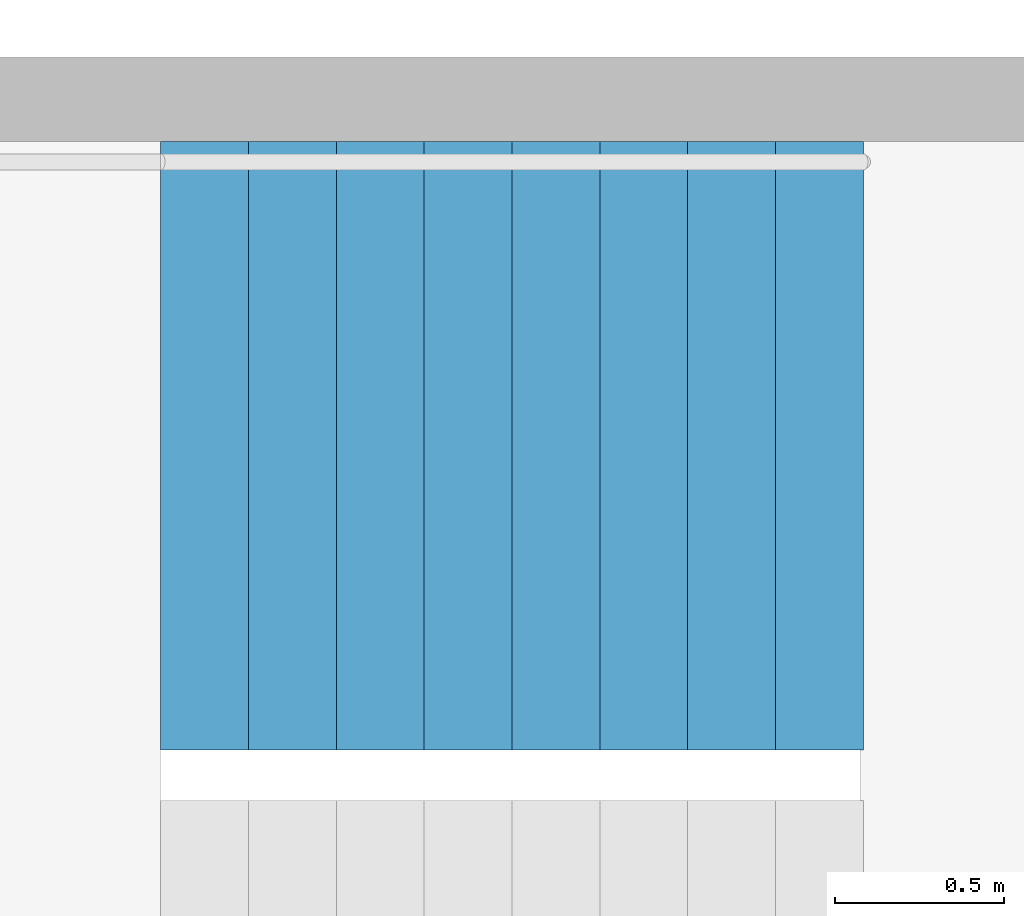
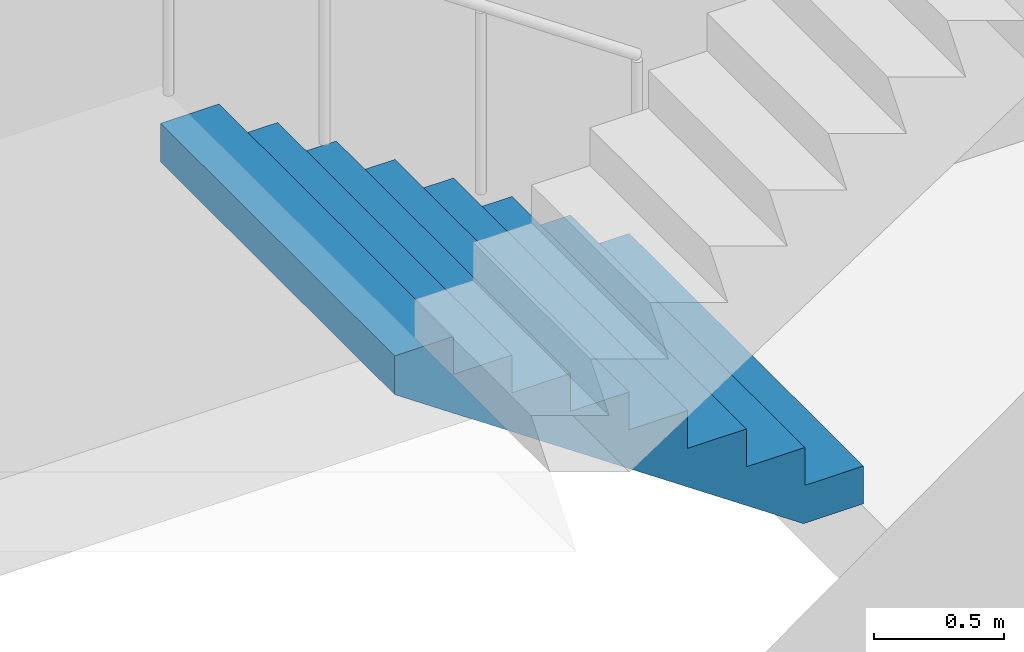
# One storey, part 18 of 29: 1 stair flight, 1 element without a shape of its own.
"""IFC4 building model written with IfcOpenShell, lengths in metres."""

import ifcopenshell
import ifcopenshell.guid

model = None  # the IFC model being written
_history = None  # IfcOwnerHistory: only IFC2X3 demands one
_inside = {}  # id of a spatial element -> (the spatial element, [elements in it])
_under = {}  # id of a project, library or spatial element -> (it, [spatial elements below it])
_declared = {}  # id of a project -> (the project, [libraries it declares])
_typed = {}  # id of a type object -> (the type object, [elements of that type])
_made_of = {}  # id of a material, layer set ... -> (it, [elements and type objects made of it])


def new_model(schema):
    """Start an empty IFC model of exactly this schema.

    Asked for "IFC4X3", IfcOpenShell would pick the latest addendum, in which some entities
    have other attributes; the version numbers below select the first issue.
    IFC2X3 requires an IfcOwnerHistory on every rooted entity: one is made here for all.
    """
    global model, _history
    if schema == "IFC4X3":
        model = ifcopenshell.file(schema_version=(4, 3, 0, 0))
    else:
        model = ifcopenshell.file(schema=schema)
    _inside.clear()
    _under.clear()
    _declared.clear()
    _typed.clear()
    _made_of.clear()
    _history = None
    if model.schema == "IFC2X3":
        org = make("IfcOrganization", Name="unknown")
        user = make(
            "IfcPersonAndOrganization",
            ThePerson=make("IfcPerson", FamilyName="unknown"),
            TheOrganization=org,
        )
        app = make(
            "IfcApplication",
            ApplicationDeveloper=org,
            Version="unknown",
            ApplicationFullName="unknown",
            ApplicationIdentifier="unknown",
        )
        _history = make(
            "IfcOwnerHistory",
            OwningUser=user,
            OwningApplication=app,
            ChangeAction="ADDED",
            CreationDate=0,
        )
    return model


def make(cls, **values):
    """One entity of the class cls with the attributes given. An attribute that is None is left unset."""
    return model.create_entity(
        cls, **{name: value for name, value in values.items() if value is not None}
    )


def rooted(cls, **values):
    """An entity with a GlobalId (a new one), such as an element, a storey or a relation."""
    return make(cls, GlobalId=ifcopenshell.guid.new(), OwnerHistory=_history, **values)


def si_unit(unit_type, name, prefix=None):
    """IfcSIUnit, for example si_unit("LENGTHUNIT", "METRE", prefix="MILLI")."""
    return make("IfcSIUnit", UnitType=unit_type, Prefix=prefix, Name=name)


def assignment(units):
    """IfcUnitAssignment: the units of a project."""
    return None if units is None else make("IfcUnitAssignment", Units=units)


def point(xyz):
    """IfcCartesianPoint."""
    return None if xyz is None else make("IfcCartesianPoint", Coordinates=xyz)


def direction(xyz):
    """IfcDirection."""
    return None if xyz is None else make("IfcDirection", DirectionRatios=xyz)


def frame(location, z_axis=None, x_axis=None):
    """IfcAxis2Placement3D, a coordinate frame: its origin and axes. An axis left out is left unset."""
    return make(
        "IfcAxis2Placement3D",
        Location=point(location),
        Axis=direction(z_axis),
        RefDirection=direction(x_axis),
    )


def origin():
    """The frame at (0, 0, 0) with its axes left unset."""
    return frame((0.0, 0.0, 0.0))


def place(relative_to, where):
    """IfcLocalPlacement: puts the frame where relative to a parent placement (None: the world)."""
    return make(
        "IfcLocalPlacement", PlacementRelTo=relative_to, RelativePlacement=where
    )


def context(
    kind, dimensions, precision=None, world=None, true_north=None, identifier=None
):
    """IfcGeometricRepresentationContext, for example the 3D "Model" context."""
    return make(
        "IfcGeometricRepresentationContext",
        ContextIdentifier=identifier,
        ContextType=kind,
        CoordinateSpaceDimension=dimensions,
        Precision=precision,
        WorldCoordinateSystem=world,
        TrueNorth=true_north,
    )


def subcontext(parent, identifier, kind, view, scale=None):
    """IfcGeometricRepresentationSubContext, for example "Body" below "Model"."""
    return make(
        "IfcGeometricRepresentationSubContext",
        ContextIdentifier=identifier,
        ContextType=kind,
        ParentContext=parent,
        TargetScale=scale,
        TargetView=view,
    )


def project(units=None, contexts=None):
    """IfcProject with its units and contexts."""
    return rooted(
        "IfcProject",
        Name="project",
        RepresentationContexts=contexts,
        UnitsInContext=assignment(units),
    )


def spatial(cls, under=None, at=None, **own):
    """A site, building, storey or space (cls), placed at a placement, below another one or the project."""
    s = rooted(cls, ObjectPlacement=at, **own)
    if under is not None:
        _under.setdefault(under.id(), (under, []))[1].append(s)
    return s


def point_list(points):
    """IfcCartesianPointList2D or 3D."""
    cls = (
        "IfcCartesianPointList2D" if len(points[0]) == 2 else "IfcCartesianPointList3D"
    )
    return make(cls, CoordList=points)


def triangles(points, corners, closed=None, point_numbers=None):
    """IfcTriangulatedFaceSet: each triangle names its three corners, points numbered from 1."""
    return make(
        "IfcTriangulatedFaceSet",
        Coordinates=point_list(points),
        Closed=closed,
        CoordIndex=corners,
        PnIndex=point_numbers,
    )


def shape(context_of_items, identifier, shape_type, items):
    """IfcShapeRepresentation: the items that make up one representation, for example the "Body"."""
    return make(
        "IfcShapeRepresentation",
        ContextOfItems=context_of_items,
        RepresentationIdentifier=identifier,
        RepresentationType=shape_type,
        Items=items,
    )


def material(Name=None, Category=None):
    """IfcMaterial."""
    return make("IfcMaterial", Name=Name, Category=Category)


def made_of(thing, what):
    """Note that an element or type object is made of a material, layer set ...; save() writes the relation."""
    if what is not None:
        _made_of.setdefault(what.id(), (what, []))[1].append(thing)
    return thing


def type_object(cls, material=None, **own):
    """A type object (cls), such as IfcWallType, which elements share."""
    return made_of(rooted(cls, **own), material)


def element(
    cls,
    number,
    at=None,
    inside=None,
    cuts=None,
    type_object=None,
    material=None,
    context=None,
    identifier="Body",
    shape_type=None,
    held_by="IfcProductDefinitionShape",
    body=None,
    shapes=None,
    **own,
):
    """One element of the class cls, such as IfcWall. Its Tag is "e" and its number.

    at: its placement. inside: the storey or other place that contains it. cuts: it is an
    opening in that element (IfcRelVoidsElement). A single representation is given by context,
    identifier, shape_type and body (its items); several are given by shapes. held_by: the class
    of the entity that holds the representations. save() writes the other relations.
    """
    e = rooted(cls, Tag="e%d" % number, ObjectPlacement=at, **own)
    if body is not None:
        shapes = [shape(context, identifier, shape_type, body)]
    if shapes is not None:
        e.Representation = make(held_by, Representations=shapes)
    if inside is not None:
        _inside.setdefault(inside.id(), (inside, []))[1].append(e)
    if cuts is not None:
        rooted(
            "IfcRelVoidsElement", RelatingBuildingElement=cuts, RelatedOpeningElement=e
        )
    if type_object is not None:
        _typed.setdefault(type_object.id(), (type_object, []))[1].append(e)
    return made_of(e, material)


def aggregate(whole, parts):
    """IfcRelAggregates: a whole, such as a stair, and the parts it consists of."""
    return rooted("IfcRelAggregates", RelatingObject=whole, RelatedObjects=parts)


def save(model, path):
    """Write the relations noted so far, then the file.

    IfcRelAggregates (storeys below a building ...), IfcRelContainedInSpatialStructure (elements
    in a storey), IfcRelDefinesByType, IfcRelAssociatesMaterial and IfcRelDeclares: one each for
    every whole, place, type object, material and project.
    """
    for whole, parts in _under.values():
        aggregate(whole, parts)
    for where, things in _inside.values():
        rooted(
            "IfcRelContainedInSpatialStructure",
            RelatedElements=things,
            RelatingStructure=where,
        )
    for kind, things in _typed.values():
        rooted("IfcRelDefinesByType", RelatedObjects=things, RelatingType=kind)
    for what, things in _made_of.values():
        rooted("IfcRelAssociatesMaterial", RelatedObjects=things, RelatingMaterial=what)
    for by, libraries in _declared.values():
        rooted("IfcRelDeclares", RelatingContext=by, RelatedDefinitions=libraries)
    model.write(path)


model = new_model("IFC4")

# Units and contexts
model_context = context("Model", 3, precision=1e-05, world=origin(), true_north=direction((0.0, 1.0)))
body_context = subcontext(model_context, "Body", "Model", "MODEL_VIEW")
ifc_project = project(units=[si_unit("LENGTHUNIT", "METRE"), si_unit("AREAUNIT", "SQUARE_METRE"), si_unit("VOLUMEUNIT", "CUBIC_METRE"), si_unit("PLANEANGLEUNIT", "RADIAN"), si_unit("MASSUNIT", "GRAM", prefix="KILO")], contexts=[model_context])

# Site, building, storey
site_placement = place(None, origin())
site = spatial("IfcSite", under=ifc_project, at=site_placement, CompositionType="ELEMENT")
building_placement = place(site_placement, origin())
building = spatial("IfcBuilding", under=site, at=building_placement, Name="Hakoniwa Tower and Hamabe Station Hall", CompositionType="ELEMENT")
storey_placement = place(building_placement, frame((0.0, 0.0, 205.800048828125)))
storey = spatial("IfcBuildingStorey", under=building, at=storey_placement, Name="L58", CompositionType="ELEMENT", Elevation=205.800048828125)

# Stair, stair flight
ifc_material_1 = material(Name="Concrete C40", Category="concrete")
stair_type = type_object("IfcStairType", Name="ESCAPE STAIR 1800", PredefinedType="HALF_TURN_STAIR", material=ifc_material_1)
stair_placement = place(storey_placement, origin())
stair = element("IfcStair", 1, at=stair_placement, inside=storey, type_object=stair_type, Name="Escape stair ST-2 L58", PredefinedType="HALF_TURN_STAIR")
ifc_material_2 = material(Name="Concrete C40", Category="concrete")
stair_flight_type = type_object("IfcStairFlightType", Name="STAIR FLIGHT 1800", PredefinedType="STRAIGHT", material=ifc_material_2)
stair_flight_placement = place(storey_placement, frame((-23.39990234375, -4.64990234375, 0.0), z_axis=(0.0, 0.0, 1.0), x_axis=(-1.0, 0.0, 0.0)))
stair_flight = element("IfcStairFlight", 2, at=stair_flight_placement, type_object=stair_flight_type, Name="ST-2 flight 1", NumberOfRisers=9, NumberOfTreads=8, PredefinedType="STRAIGHT", RiserHeight=0.177777778, TreadLength=0.26, context=body_context, shape_type="Tessellation", body=[
    triangles([(0.0, 0.89990234375, 0.0), (0.260009765625, 0.89990234375, 0.0), (0.265625, 0.89990234375, 0.0), (0.52001953125, 0.89990234375, 0.174072265625), (0.780029296875, 0.89990234375, 0.351806640625), (1.0400390625, 0.89990234375, 0.529541015625), (1.300048828125, 0.89990234375, 0.707275390625), (1.56005859375, 0.89990234375, 0.885009765625), (1.820068359375, 0.89990234375, 1.062744140625), (2.080078125, 0.89990234375, 1.24072265625), (2.080078125, 0.89990234375, 1.422119140625), (1.820068359375, 0.89990234375, 1.422119140625), (1.820068359375, 0.89990234375, 1.244384765625), (1.56005859375, 0.89990234375, 1.244384765625), (1.56005859375, 0.89990234375, 1.066650390625), (1.300048828125, 0.89990234375, 1.066650390625), (1.300048828125, 0.89990234375, 0.888916015625), (1.0400390625, 0.89990234375, 0.888916015625), (1.0400390625, 0.89990234375, 0.711181640625), (0.780029296875, 0.89990234375, 0.711181640625), (0.780029296875, 0.89990234375, 0.533447265625), (0.52001953125, 0.89990234375, 0.533447265625), (0.52001953125, 0.89990234375, 0.35546875), (0.265625, 0.89990234375, 0.35546875), (0.260009765625, 0.89990234375, 0.35546875), (0.260009765625, 0.89990234375, 0.177734375), (0.0, 0.89990234375, 0.177734375), (0.0, 0.06005859375, 0.0), (0.260009765625, 0.06005859375, 0.0), (0.265625, 0.06005859375, 0.0), (0.52001953125, 0.06005859375, 0.174072265625), (0.780029296875, 0.06005859375, 0.351806640625), (1.0400390625, 0.06005859375, 0.529541015625), (1.300048828125, 0.06005859375, 0.707275390625), (1.56005859375, 0.06005859375, 0.885009765625), (1.820068359375, 0.06005859375, 1.062744140625), (2.080078125, 0.06005859375, 1.24072265625), (2.080078125, 0.06005859375, 1.422119140625), (1.820068359375, 0.06005859375, 1.422119140625), (1.820068359375, 0.06005859375, 1.244384765625), (1.56005859375, 0.06005859375, 1.244384765625), (1.56005859375, 0.06005859375, 1.066650390625), (1.300048828125, 0.06005859375, 1.066650390625), (1.300048828125, 0.06005859375, 0.888916015625), (1.0400390625, 0.06005859375, 0.888916015625), (1.0400390625, 0.06005859375, 0.711181640625), (0.780029296875, 0.06005859375, 0.711181640625), (0.780029296875, 0.06005859375, 0.533447265625), (0.52001953125, 0.06005859375, 0.533447265625), (0.52001953125, 0.06005859375, 0.35546875), (0.265625, 0.06005859375, 0.35546875), (0.260009765625, 0.06005859375, 0.35546875), (0.260009765625, 0.06005859375, 0.177734375), (0.0, 0.06005859375, 0.177734375), (0.0, 0.04296875, 0.0), (0.260009765625, 0.04296875, 0.0), (0.265625, 0.04296875, 0.0), (0.52001953125, 0.04296875, 0.174072265625), (0.780029296875, 0.04296875, 0.351806640625), (1.0400390625, 0.04296875, 0.529541015625), (1.300048828125, 0.04296875, 0.707275390625), (1.56005859375, 0.04296875, 0.885009765625), (1.820068359375, 0.04296875, 1.062744140625), (2.080078125, 0.04296875, 1.24072265625), (2.080078125, 0.04296875, 1.422119140625), (1.820068359375, 0.04296875, 1.422119140625), (1.820068359375, 0.04296875, 1.244384765625), (1.56005859375, 0.04296875, 1.244384765625), (1.56005859375, 0.04296875, 1.066650390625), (1.300048828125, 0.04296875, 1.066650390625), (1.300048828125, 0.04296875, 0.888916015625), (1.0400390625, 0.04296875, 0.888916015625), (1.0400390625, 0.04296875, 0.711181640625), (0.780029296875, 0.04296875, 0.711181640625), (0.780029296875, 0.04296875, 0.533447265625), (0.52001953125, 0.04296875, 0.533447265625), (0.52001953125, 0.04296875, 0.35546875), (0.265625, 0.04296875, 0.35546875), (0.260009765625, 0.04296875, 0.35546875), (0.260009765625, 0.04296875, 0.177734375), (0.0, 0.04296875, 0.177734375), (0.0, 0.025634765625, 0.0), (0.260009765625, 0.025634765625, 0.0), (0.265625, 0.025634765625, 0.0), (0.52001953125, 0.025634765625, 0.174072265625), (0.780029296875, 0.025634765625, 0.351806640625), (1.0400390625, 0.025634765625, 0.529541015625), (1.300048828125, 0.025634765625, 0.707275390625), (1.56005859375, 0.025634765625, 0.885009765625), (1.820068359375, 0.025634765625, 1.062744140625), (2.080078125, 0.025634765625, 1.24072265625), (2.080078125, 0.025634765625, 1.422119140625), (1.820068359375, 0.025634765625, 1.422119140625), (1.820068359375, 0.025634765625, 1.244384765625), (1.56005859375, 0.025634765625, 1.244384765625), (1.56005859375, 0.025634765625, 1.066650390625), (1.300048828125, 0.025634765625, 1.066650390625), (1.300048828125, 0.025634765625, 0.888916015625), (1.0400390625, 0.025634765625, 0.888916015625), (1.0400390625, 0.025634765625, 0.711181640625), (0.780029296875, 0.025634765625, 0.711181640625), (0.780029296875, 0.025634765625, 0.533447265625), (0.52001953125, 0.025634765625, 0.533447265625), (0.52001953125, 0.025634765625, 0.35546875), (0.265625, 0.025634765625, 0.35546875), (0.260009765625, 0.025634765625, 0.35546875), (0.260009765625, 0.025634765625, 0.177734375), (0.0, 0.025634765625, 0.177734375), (0.0, 0.008544921875, 0.0), (0.260009765625, 0.008544921875, 0.0), (0.265625, 0.008544921875, 0.0), (0.52001953125, 0.008544921875, 0.174072265625), (0.780029296875, 0.008544921875, 0.351806640625), (1.0400390625, 0.008544921875, 0.529541015625), (1.300048828125, 0.008544921875, 0.707275390625), (1.56005859375, 0.008544921875, 0.885009765625), (1.820068359375, 0.008544921875, 1.062744140625), (2.080078125, 0.008544921875, 1.24072265625), (2.080078125, 0.008544921875, 1.422119140625), (1.820068359375, 0.008544921875, 1.422119140625), (1.820068359375, 0.008544921875, 1.244384765625), (1.56005859375, 0.008544921875, 1.244384765625), (1.56005859375, 0.008544921875, 1.066650390625), (1.300048828125, 0.008544921875, 1.066650390625), (1.300048828125, 0.008544921875, 0.888916015625), (1.0400390625, 0.008544921875, 0.888916015625), (1.0400390625, 0.008544921875, 0.711181640625), (0.780029296875, 0.008544921875, 0.711181640625), (0.780029296875, 0.008544921875, 0.533447265625), (0.52001953125, 0.008544921875, 0.533447265625), (0.52001953125, 0.008544921875, 0.35546875), (0.265625, 0.008544921875, 0.35546875), (0.260009765625, 0.008544921875, 0.35546875), (0.260009765625, 0.008544921875, 0.177734375), (0.0, 0.008544921875, 0.177734375), (0.0, -0.008544921875, 0.0), (0.260009765625, -0.008544921875, 0.0), (0.265625, -0.008544921875, 0.0), (0.52001953125, -0.008544921875, 0.174072265625), (0.780029296875, -0.008544921875, 0.351806640625), (1.0400390625, -0.008544921875, 0.529541015625), (1.300048828125, -0.008544921875, 0.707275390625), (1.56005859375, -0.008544921875, 0.885009765625), (1.820068359375, -0.008544921875, 1.062744140625), (2.080078125, -0.008544921875, 1.24072265625), (2.080078125, -0.008544921875, 1.422119140625), (1.820068359375, -0.008544921875, 1.422119140625), (1.820068359375, -0.008544921875, 1.244384765625), (1.56005859375, -0.008544921875, 1.244384765625), (1.56005859375, -0.008544921875, 1.066650390625), (1.300048828125, -0.008544921875, 1.066650390625), (1.300048828125, -0.008544921875, 0.888916015625), (1.0400390625, -0.008544921875, 0.888916015625), (1.0400390625, -0.008544921875, 0.711181640625), (0.780029296875, -0.008544921875, 0.711181640625), (0.780029296875, -0.008544921875, 0.533447265625), (0.52001953125, -0.008544921875, 0.533447265625), (0.52001953125, -0.008544921875, 0.35546875), (0.265625, -0.008544921875, 0.35546875), (0.260009765625, -0.008544921875, 0.35546875), (0.260009765625, -0.008544921875, 0.177734375), (0.0, -0.008544921875, 0.177734375), (0.0, -0.025634765625, 0.0), (0.260009765625, -0.025634765625, 0.0), (0.265625, -0.025634765625, 0.0), (0.52001953125, -0.025634765625, 0.174072265625), (0.780029296875, -0.025634765625, 0.351806640625), (1.0400390625, -0.025634765625, 0.529541015625), (1.300048828125, -0.025634765625, 0.707275390625), (1.56005859375, -0.025634765625, 0.885009765625), (1.820068359375, -0.025634765625, 1.062744140625), (2.080078125, -0.025634765625, 1.24072265625), (2.080078125, -0.025634765625, 1.422119140625), (1.820068359375, -0.025634765625, 1.422119140625), (1.820068359375, -0.025634765625, 1.244384765625), (1.56005859375, -0.025634765625, 1.244384765625), (1.56005859375, -0.025634765625, 1.066650390625), (1.300048828125, -0.025634765625, 1.066650390625), (1.300048828125, -0.025634765625, 0.888916015625), (1.0400390625, -0.025634765625, 0.888916015625), (1.0400390625, -0.025634765625, 0.711181640625), (0.780029296875, -0.025634765625, 0.711181640625), (0.780029296875, -0.025634765625, 0.533447265625), (0.52001953125, -0.025634765625, 0.533447265625), (0.52001953125, -0.025634765625, 0.35546875), (0.265625, -0.025634765625, 0.35546875), (0.260009765625, -0.025634765625, 0.35546875), (0.260009765625, -0.025634765625, 0.177734375), (0.0, -0.025634765625, 0.177734375), (0.0, -0.04296875, 0.0), (0.260009765625, -0.04296875, 0.0), (0.265625, -0.04296875, 0.0), (0.52001953125, -0.04296875, 0.174072265625), (0.780029296875, -0.04296875, 0.351806640625), (1.0400390625, -0.04296875, 0.529541015625), (1.300048828125, -0.04296875, 0.707275390625), (1.56005859375, -0.04296875, 0.885009765625), (1.820068359375, -0.04296875, 1.062744140625), (2.080078125, -0.04296875, 1.24072265625), (2.080078125, -0.04296875, 1.422119140625), (1.820068359375, -0.04296875, 1.422119140625), (1.820068359375, -0.04296875, 1.244384765625), (1.56005859375, -0.04296875, 1.244384765625), (1.56005859375, -0.04296875, 1.066650390625), (1.300048828125, -0.04296875, 1.066650390625), (1.300048828125, -0.04296875, 0.888916015625), (1.0400390625, -0.04296875, 0.888916015625), (1.0400390625, -0.04296875, 0.711181640625), (0.780029296875, -0.04296875, 0.711181640625), (0.780029296875, -0.04296875, 0.533447265625), (0.52001953125, -0.04296875, 0.533447265625), (0.52001953125, -0.04296875, 0.35546875), (0.265625, -0.04296875, 0.35546875), (0.260009765625, -0.04296875, 0.35546875), (0.260009765625, -0.04296875, 0.177734375), (0.0, -0.04296875, 0.177734375), (0.0, -0.06005859375, 0.0), (0.260009765625, -0.06005859375, 0.0), (0.265625, -0.06005859375, 0.0), (0.52001953125, -0.06005859375, 0.174072265625), (0.780029296875, -0.06005859375, 0.351806640625), (1.0400390625, -0.06005859375, 0.529541015625), (1.300048828125, -0.06005859375, 0.707275390625), (1.56005859375, -0.06005859375, 0.885009765625), (1.820068359375, -0.06005859375, 1.062744140625), (2.080078125, -0.06005859375, 1.24072265625), (2.080078125, -0.06005859375, 1.422119140625), (1.820068359375, -0.06005859375, 1.422119140625), (1.820068359375, -0.06005859375, 1.244384765625), (1.56005859375, -0.06005859375, 1.244384765625), (1.56005859375, -0.06005859375, 1.066650390625), (1.300048828125, -0.06005859375, 1.066650390625), (1.300048828125, -0.06005859375, 0.888916015625), (1.0400390625, -0.06005859375, 0.888916015625), (1.0400390625, -0.06005859375, 0.711181640625), (0.780029296875, -0.06005859375, 0.711181640625), (0.780029296875, -0.06005859375, 0.533447265625), (0.52001953125, -0.06005859375, 0.533447265625), (0.52001953125, -0.06005859375, 0.35546875), (0.265625, -0.06005859375, 0.35546875), (0.260009765625, -0.06005859375, 0.35546875), (0.260009765625, -0.06005859375, 0.177734375), (0.0, -0.06005859375, 0.177734375), (0.0, -0.89990234375, 0.0), (0.260009765625, -0.89990234375, 0.0), (0.265625, -0.89990234375, 0.0), (0.52001953125, -0.89990234375, 0.174072265625), (0.780029296875, -0.89990234375, 0.351806640625), (1.0400390625, -0.89990234375, 0.529541015625), (1.300048828125, -0.89990234375, 0.707275390625), (1.56005859375, -0.89990234375, 0.885009765625), (1.820068359375, -0.89990234375, 1.062744140625), (2.080078125, -0.89990234375, 1.24072265625), (2.080078125, -0.89990234375, 1.422119140625), (1.820068359375, -0.89990234375, 1.422119140625), (1.820068359375, -0.89990234375, 1.244384765625), (1.56005859375, -0.89990234375, 1.244384765625), (1.56005859375, -0.89990234375, 1.066650390625), (1.300048828125, -0.89990234375, 1.066650390625), (1.300048828125, -0.89990234375, 0.888916015625), (1.0400390625, -0.89990234375, 0.888916015625), (1.0400390625, -0.89990234375, 0.711181640625), (0.780029296875, -0.89990234375, 0.711181640625), (0.780029296875, -0.89990234375, 0.533447265625), (0.52001953125, -0.89990234375, 0.533447265625), (0.52001953125, -0.89990234375, 0.35546875), (0.265625, -0.89990234375, 0.35546875), (0.260009765625, -0.89990234375, 0.35546875), (0.260009765625, -0.89990234375, 0.177734375), (0.0, -0.89990234375, 0.177734375)], [[2, 27, 26], [245, 269, 270], [2, 1, 27], [245, 270, 244], [3, 25, 24], [246, 267, 268], [3, 26, 25], [246, 268, 269], [3, 2, 26], [246, 269, 245], [4, 24, 23], [247, 266, 267], [4, 3, 24], [247, 267, 246], [5, 22, 21], [248, 264, 265], [5, 23, 22], [248, 265, 266], [5, 4, 23], [248, 266, 247], [6, 20, 19], [249, 262, 263], [6, 21, 20], [249, 263, 264], [6, 5, 21], [249, 264, 248], [7, 18, 17], [250, 260, 261], [7, 19, 18], [250, 261, 262], [7, 6, 19], [250, 262, 249], [8, 16, 15], [251, 258, 259], [8, 17, 16], [251, 259, 260], [8, 7, 17], [251, 260, 250], [9, 14, 13], [252, 256, 257], [9, 15, 14], [252, 257, 258], [9, 8, 15], [252, 258, 251], [10, 12, 11], [253, 254, 255], [10, 13, 12], [253, 255, 256], [10, 9, 13], [253, 256, 252], [1, 2, 29], [1, 29, 28], [28, 29, 56], [28, 56, 55], [55, 56, 83], [55, 83, 82], [82, 83, 110], [82, 110, 109], [109, 110, 137], [109, 137, 136], [136, 137, 164], [136, 164, 163], [163, 164, 191], [163, 191, 190], [190, 191, 218], [190, 218, 217], [217, 218, 245], [217, 245, 244], [2, 3, 30], [2, 30, 29], [29, 30, 57], [29, 57, 56], [56, 57, 84], [56, 84, 83], [83, 84, 111], [83, 111, 110], [110, 111, 138], [110, 138, 137], [137, 138, 165], [137, 165, 164], [164, 165, 192], [164, 192, 191], [191, 192, 219], [191, 219, 218], [218, 219, 246], [218, 246, 245], [3, 4, 31], [3, 31, 30], [30, 31, 58], [30, 58, 57], [57, 58, 85], [57, 85, 84], [84, 85, 112], [84, 112, 111], [111, 112, 139], [111, 139, 138], [138, 139, 166], [138, 166, 165], [165, 166, 193], [165, 193, 192], [192, 193, 220], [192, 220, 219], [219, 220, 247], [219, 247, 246], [4, 5, 32], [4, 32, 31], [31, 32, 59], [31, 59, 58], [58, 59, 86], [58, 86, 85], [85, 86, 113], [85, 113, 112], [112, 113, 140], [112, 140, 139], [139, 140, 167], [139, 167, 166], [166, 167, 194], [166, 194, 193], [193, 194, 221], [193, 221, 220], [220, 221, 248], [220, 248, 247], [5, 6, 33], [5, 33, 32], [32, 33, 60], [32, 60, 59], [59, 60, 87], [59, 87, 86], [86, 87, 114], [86, 114, 113], [113, 114, 141], [113, 141, 140], [140, 141, 168], [140, 168, 167], [167, 168, 195], [167, 195, 194], [194, 195, 222], [194, 222, 221], [221, 222, 249], [221, 249, 248], [6, 7, 34], [6, 34, 33], [33, 34, 61], [33, 61, 60], [60, 61, 88], [60, 88, 87], [87, 88, 115], [87, 115, 114], [114, 115, 142], [114, 142, 141], [141, 142, 169], [141, 169, 168], [168, 169, 196], [168, 196, 195], [195, 196, 223], [195, 223, 222], [222, 223, 250], [222, 250, 249], [7, 8, 35], [7, 35, 34], [34, 35, 62], [34, 62, 61], [61, 62, 89], [61, 89, 88], [88, 89, 116], [88, 116, 115], [115, 116, 143], [115, 143, 142], [142, 143, 170], [142, 170, 169], [169, 170, 197], [169, 197, 196], [196, 197, 224], [196, 224, 223], [223, 224, 251], [223, 251, 250], [8, 9, 36], [8, 36, 35], [35, 36, 63], [35, 63, 62], [62, 63, 90], [62, 90, 89], [89, 90, 117], [89, 117, 116], [116, 117, 144], [116, 144, 143], [143, 144, 171], [143, 171, 170], [170, 171, 198], [170, 198, 197], [197, 198, 225], [197, 225, 224], [224, 225, 252], [224, 252, 251], [9, 10, 37], [9, 37, 36], [36, 37, 64], [36, 64, 63], [63, 64, 91], [63, 91, 90], [90, 91, 118], [90, 118, 117], [117, 118, 145], [117, 145, 144], [144, 145, 172], [144, 172, 171], [171, 172, 199], [171, 199, 198], [198, 199, 226], [198, 226, 225], [225, 226, 253], [225, 253, 252], [10, 11, 38], [10, 38, 37], [37, 38, 65], [37, 65, 64], [64, 65, 92], [64, 92, 91], [91, 92, 119], [91, 119, 118], [118, 119, 146], [118, 146, 145], [145, 146, 173], [145, 173, 172], [172, 173, 200], [172, 200, 199], [199, 200, 227], [199, 227, 226], [226, 227, 254], [226, 254, 253], [11, 12, 39], [11, 39, 38], [38, 39, 66], [38, 66, 65], [65, 66, 93], [65, 93, 92], [92, 93, 120], [92, 120, 119], [119, 120, 147], [119, 147, 146], [146, 147, 174], [146, 174, 173], [173, 174, 201], [173, 201, 200], [200, 201, 228], [200, 228, 227], [227, 228, 255], [227, 255, 254], [12, 13, 40], [12, 40, 39], [39, 40, 67], [39, 67, 66], [66, 67, 94], [66, 94, 93], [93, 94, 121], [93, 121, 120], [120, 121, 148], [120, 148, 147], [147, 148, 175], [147, 175, 174], [174, 175, 202], [174, 202, 201], [201, 202, 229], [201, 229, 228], [228, 229, 256], [228, 256, 255], [13, 14, 41], [13, 41, 40], [40, 41, 68], [40, 68, 67], [67, 68, 95], [67, 95, 94], [94, 95, 122], [94, 122, 121], [121, 122, 149], [121, 149, 148], [148, 149, 176], [148, 176, 175], [175, 176, 203], [175, 203, 202], [202, 203, 230], [202, 230, 229], [229, 230, 257], [229, 257, 256], [14, 15, 42], [14, 42, 41], [41, 42, 69], [41, 69, 68], [68, 69, 96], [68, 96, 95], [95, 96, 123], [95, 123, 122], [122, 123, 150], [122, 150, 149], [149, 150, 177], [149, 177, 176], [176, 177, 204], [176, 204, 203], [203, 204, 231], [203, 231, 230], [230, 231, 258], [230, 258, 257], [15, 16, 43], [15, 43, 42], [42, 43, 70], [42, 70, 69], [69, 70, 97], [69, 97, 96], [96, 97, 124], [96, 124, 123], [123, 124, 151], [123, 151, 150], [150, 151, 178], [150, 178, 177], [177, 178, 205], [177, 205, 204], [204, 205, 232], [204, 232, 231], [231, 232, 259], [231, 259, 258], [16, 17, 44], [16, 44, 43], [43, 44, 71], [43, 71, 70], [70, 71, 98], [70, 98, 97], [97, 98, 125], [97, 125, 124], [124, 125, 152], [124, 152, 151], [151, 152, 179], [151, 179, 178], [178, 179, 206], [178, 206, 205], [205, 206, 233], [205, 233, 232], [232, 233, 260], [232, 260, 259], [17, 18, 45], [17, 45, 44], [44, 45, 72], [44, 72, 71], [71, 72, 99], [71, 99, 98], [98, 99, 126], [98, 126, 125], [125, 126, 153], [125, 153, 152], [152, 153, 180], [152, 180, 179], [179, 180, 207], [179, 207, 206], [206, 207, 234], [206, 234, 233], [233, 234, 261], [233, 261, 260], [18, 19, 46], [18, 46, 45], [45, 46, 73], [45, 73, 72], [72, 73, 100], [72, 100, 99], [99, 100, 127], [99, 127, 126], [126, 127, 154], [126, 154, 153], [153, 154, 181], [153, 181, 180], [180, 181, 208], [180, 208, 207], [207, 208, 235], [207, 235, 234], [234, 235, 262], [234, 262, 261], [19, 20, 47], [19, 47, 46], [46, 47, 74], [46, 74, 73], [73, 74, 101], [73, 101, 100], [100, 101, 128], [100, 128, 127], [127, 128, 155], [127, 155, 154], [154, 155, 182], [154, 182, 181], [181, 182, 209], [181, 209, 208], [208, 209, 236], [208, 236, 235], [235, 236, 263], [235, 263, 262], [20, 21, 48], [20, 48, 47], [47, 48, 75], [47, 75, 74], [74, 75, 102], [74, 102, 101], [101, 102, 129], [101, 129, 128], [128, 129, 156], [128, 156, 155], [155, 156, 183], [155, 183, 182], [182, 183, 210], [182, 210, 209], [209, 210, 237], [209, 237, 236], [236, 237, 264], [236, 264, 263], [21, 22, 49], [21, 49, 48], [48, 49, 76], [48, 76, 75], [75, 76, 103], [75, 103, 102], [102, 103, 130], [102, 130, 129], [129, 130, 157], [129, 157, 156], [156, 157, 184], [156, 184, 183], [183, 184, 211], [183, 211, 210], [210, 211, 238], [210, 238, 237], [237, 238, 265], [237, 265, 264], [22, 23, 50], [22, 50, 49], [49, 50, 77], [49, 77, 76], [76, 77, 104], [76, 104, 103], [103, 104, 131], [103, 131, 130], [130, 131, 158], [130, 158, 157], [157, 158, 185], [157, 185, 184], [184, 185, 212], [184, 212, 211], [211, 212, 239], [211, 239, 238], [238, 239, 266], [238, 266, 265], [23, 24, 51], [23, 51, 50], [50, 51, 78], [50, 78, 77], [77, 78, 105], [77, 105, 104], [104, 105, 132], [104, 132, 131], [131, 132, 159], [131, 159, 158], [158, 159, 186], [158, 186, 185], [185, 186, 213], [185, 213, 212], [212, 213, 240], [212, 240, 239], [239, 240, 267], [239, 267, 266], [24, 25, 52], [24, 52, 51], [51, 52, 79], [51, 79, 78], [78, 79, 106], [78, 106, 105], [105, 106, 133], [105, 133, 132], [132, 133, 160], [132, 160, 159], [159, 160, 187], [159, 187, 186], [186, 187, 214], [186, 214, 213], [213, 214, 241], [213, 241, 240], [240, 241, 268], [240, 268, 267], [25, 26, 53], [25, 53, 52], [52, 53, 80], [52, 80, 79], [79, 80, 107], [79, 107, 106], [106, 107, 134], [106, 134, 133], [133, 134, 161], [133, 161, 160], [160, 161, 188], [160, 188, 187], [187, 188, 215], [187, 215, 214], [214, 215, 242], [214, 242, 241], [241, 242, 269], [241, 269, 268], [26, 27, 54], [26, 54, 53], [53, 54, 81], [53, 81, 80], [80, 81, 108], [80, 108, 107], [107, 108, 135], [107, 135, 134], [134, 135, 162], [134, 162, 161], [161, 162, 189], [161, 189, 188], [188, 189, 216], [188, 216, 215], [215, 216, 243], [215, 243, 242], [242, 243, 270], [242, 270, 269], [27, 1, 28], [27, 28, 54], [54, 28, 55], [54, 55, 81], [81, 55, 82], [81, 82, 108], [108, 82, 109], [108, 109, 135], [135, 109, 136], [135, 136, 162], [162, 136, 163], [162, 163, 189], [189, 163, 190], [189, 190, 216], [216, 190, 217], [216, 217, 243], [243, 217, 244], [243, 244, 270]], closed=True),
])
aggregate(stair, [stair_flight])

save(model, "model.ifc")
